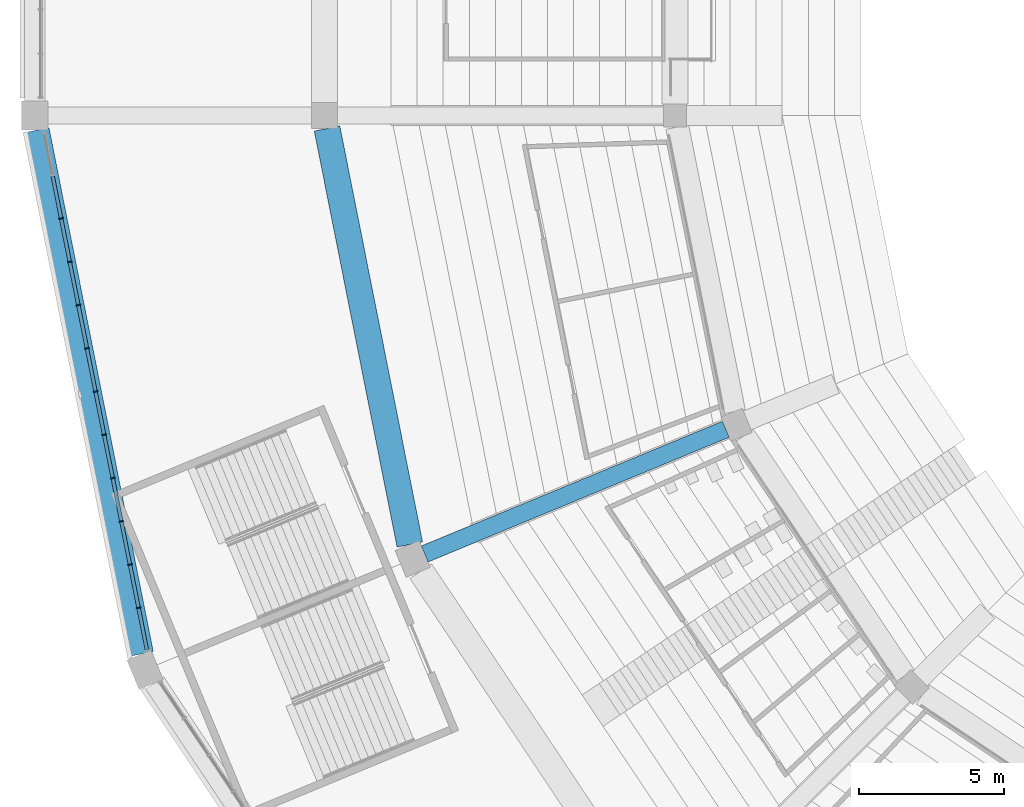
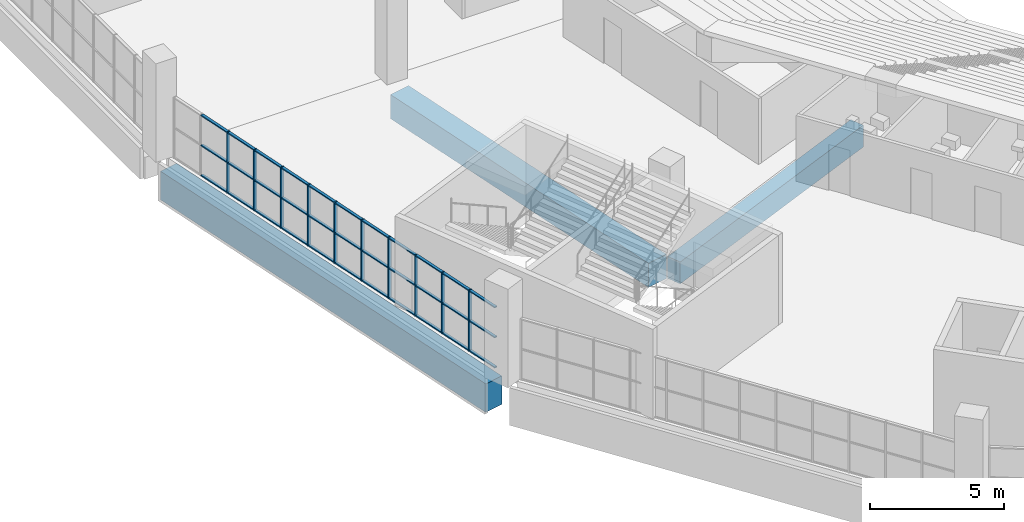
# One storey, part 8 of 249: 43 members, 3 beams, 1 element without a shape of its own.
"""IFC4 building model written with IfcOpenShell, lengths in metres."""

from ifc_helpers import new_model, si_unit, direction, frame, origin, origin_2d, place, context, subcontext, project, spatial, rectangle, extrude, material, material_profile, profile_set, type_object, element, aggregate, save


model = new_model("IFC4")

# Units and contexts
model_context = context("Model", 3, precision=1e-05, world=origin(), true_north=direction((0.0, 1.0)))
body_context = subcontext(model_context, "Body", "Model", "MODEL_VIEW")
ifc_project = project(units=[si_unit("LENGTHUNIT", "METRE"), si_unit("AREAUNIT", "SQUARE_METRE"), si_unit("VOLUMEUNIT", "CUBIC_METRE"), si_unit("PLANEANGLEUNIT", "RADIAN"), si_unit("MASSUNIT", "GRAM", prefix="KILO")], contexts=[model_context])

# Site, building, storey
site_placement = place(None, origin())
site = spatial("IfcSite", under=ifc_project, at=site_placement, CompositionType="ELEMENT")
building_placement = place(site_placement, origin())
building = spatial("IfcBuilding", under=site, at=building_placement, Name="Ogive Plaza Stadium", CompositionType="ELEMENT")
storey_placement = place(building_placement, frame((0.0, 0.0, 13.5)))
storey = spatial("IfcBuildingStorey", under=building, at=storey_placement, Name="L03", CompositionType="ELEMENT", Elevation=13.5)

# Curtain wall, members
ifc_material_1 = material(Name="Bronze-anodised aluminium with laminated glass", Category="aluminium")
curtain_wall_type = type_object("IfcCurtainWallType", Name="Lancet curtain wall", PredefinedType="NOTDEFINED", material=ifc_material_1)
curtain_wall_placement = place(storey_placement, origin())
curtain_wall = element("IfcCurtainWall", 1, at=curtain_wall_placement, inside=storey, type_object=curtain_wall_type, Name="CURTAIN WALL B20 L03", PredefinedType="NOTDEFINED")
ifc_material_2 = material(Name="Bronze-anodised aluminium", Category="aluminium")
ifc_material_profile_1 = material_profile(ifc_material_2, rectangle(XDim=0.14990234375, YDim=0.050048828125, at=origin_2d()), Name="AL 150x50")
ifc_profile_set_1 = profile_set([ifc_material_profile_1], Name="Bronze-anodised aluminium")
member_type_1 = type_object("IfcMemberType", Name="Curtain wall mullion 50x150", PredefinedType="MULLION", material=ifc_profile_set_1)
member_1_placement = place(storey_placement, frame((-80.415771484375, -69.49365234375, 0.0), z_axis=(0.0, 0.0, 1.0), x_axis=(-0.9807852804, -0.195090322033, 0.0)))
member_1 = element("IfcMember", 2, at=member_1_placement, type_object=member_type_1, Name="CW-B20-L03 mullion 2", PredefinedType="MULLION", context=body_context, shape_type="SweptSolid", body=[
    extrude(rectangle(XDim=0.14990234375, YDim=0.050048828125, at=origin_2d()), origin(), (0.0, 0.0, 1.0), 2.7900390625),
])
member_2_placement = place(storey_placement, frame((-80.712890625, -68.00048828125, 0.0), z_axis=(0.0, 0.0, 1.0), x_axis=(-0.9807852804, -0.195090322033, 0.0)))
member_2 = element("IfcMember", 3, at=member_2_placement, type_object=member_type_1, Name="CW-B20-L03 mullion 3", PredefinedType="MULLION", context=body_context, shape_type="SweptSolid", body=[
    extrude(rectangle(XDim=0.14990234375, YDim=0.050048828125, at=origin_2d()), origin(), (0.0, 0.0, 1.0), 2.7900390625),
])
member_3_placement = place(storey_placement, frame((-81.009765625, -66.50732421875, 0.0), z_axis=(0.0, 0.0, 1.0), x_axis=(-0.9807852804, -0.195090322033, 0.0)))
member_3 = element("IfcMember", 4, at=member_3_placement, type_object=member_type_1, Name="CW-B20-L03 mullion 4", PredefinedType="MULLION", context=body_context, shape_type="SweptSolid", body=[
    extrude(rectangle(XDim=0.14990234375, YDim=0.050048828125, at=origin_2d()), origin(), (0.0, 0.0, 1.0), 2.7900390625),
])
member_4_placement = place(storey_placement, frame((-81.306884765625, -65.01416015625, 0.0), z_axis=(0.0, 0.0, 1.0), x_axis=(-0.9807852804, -0.195090322033, 0.0)))
member_4 = element("IfcMember", 5, at=member_4_placement, type_object=member_type_1, Name="CW-B20-L03 mullion 5", PredefinedType="MULLION", context=body_context, shape_type="SweptSolid", body=[
    extrude(rectangle(XDim=0.14990234375, YDim=0.050048828125, at=origin_2d()), origin(), (0.0, 0.0, 1.0), 2.7900390625),
])
member_5_placement = place(storey_placement, frame((-81.603759765625, -63.521240234375, 0.0), z_axis=(0.0, 0.0, 1.0), x_axis=(-0.9807852804, -0.195090322033, 0.0)))
member_5 = element("IfcMember", 6, at=member_5_placement, type_object=member_type_1, Name="CW-B20-L03 mullion 6", PredefinedType="MULLION", context=body_context, shape_type="SweptSolid", body=[
    extrude(rectangle(XDim=0.14990234375, YDim=0.050048828125, at=origin_2d()), origin(), (0.0, 0.0, 1.0), 2.7900390625),
])
member_6_placement = place(storey_placement, frame((-81.90087890625, -62.028076171875, 0.0), z_axis=(0.0, 0.0, 1.0), x_axis=(-0.9807852804, -0.195090322033, 0.0)))
member_6 = element("IfcMember", 7, at=member_6_placement, type_object=member_type_1, Name="CW-B20-L03 mullion 7", PredefinedType="MULLION", context=body_context, shape_type="SweptSolid", body=[
    extrude(rectangle(XDim=0.14990234375, YDim=0.050048828125, at=origin_2d()), origin(), (0.0, 0.0, 1.0), 2.7900390625),
])
member_7_placement = place(storey_placement, frame((-82.19775390625, -60.534912109375, 0.0), z_axis=(0.0, 0.0, 1.0), x_axis=(-0.9807852804, -0.195090322033, 0.0)))
member_7 = element("IfcMember", 8, at=member_7_placement, type_object=member_type_1, Name="CW-B20-L03 mullion 8", PredefinedType="MULLION", context=body_context, shape_type="SweptSolid", body=[
    extrude(rectangle(XDim=0.14990234375, YDim=0.050048828125, at=origin_2d()), origin(), (0.0, 0.0, 1.0), 2.7900390625),
])
member_8_placement = place(storey_placement, frame((-82.494873046875, -59.0419921875, 0.0), z_axis=(0.0, 0.0, 1.0), x_axis=(-0.9807852804, -0.195090322033, 0.0)))
member_8 = element("IfcMember", 9, at=member_8_placement, type_object=member_type_1, Name="CW-B20-L03 mullion 9", PredefinedType="MULLION", context=body_context, shape_type="SweptSolid", body=[
    extrude(rectangle(XDim=0.14990234375, YDim=0.050048828125, at=origin_2d()), origin(), (0.0, 0.0, 1.0), 2.7900390625),
])
member_9_placement = place(storey_placement, frame((-82.791748046875, -57.548828125, 0.0), z_axis=(0.0, 0.0, 1.0), x_axis=(-0.9807852804, -0.195090322033, 0.0)))
member_9 = element("IfcMember", 10, at=member_9_placement, type_object=member_type_1, Name="CW-B20-L03 mullion 10", PredefinedType="MULLION", context=body_context, shape_type="SweptSolid", body=[
    extrude(rectangle(XDim=0.14990234375, YDim=0.050048828125, at=origin_2d()), origin(), (0.0, 0.0, 1.0), 2.7900390625),
])
member_10_placement = place(storey_placement, frame((-83.0888671875, -56.0556640625, 0.0), z_axis=(0.0, 0.0, 1.0), x_axis=(-0.9807852804, -0.195090322033, 0.0)))
member_10 = element("IfcMember", 11, at=member_10_placement, type_object=member_type_1, Name="CW-B20-L03 mullion 11", PredefinedType="MULLION", context=body_context, shape_type="SweptSolid", body=[
    extrude(rectangle(XDim=0.14990234375, YDim=0.050048828125, at=origin_2d()), origin(), (0.0, 0.0, 1.0), 2.7900390625),
])
ifc_material_3 = material(Name="Bronze-anodised aluminium", Category="aluminium")
ifc_material_profile_2 = material_profile(ifc_material_3, rectangle(XDim=0.1201171875, YDim=0.050048828125, at=origin_2d()), Name="AL 120x50")
ifc_profile_set_2 = profile_set([ifc_material_profile_2], Name="Bronze-anodised aluminium")
member_type_2 = type_object("IfcMemberType", Name="Curtain wall transom 50x120", PredefinedType="USERDEFINED", material=ifc_profile_set_2)
member_11_placement = place(storey_placement, frame((-80.128662109375, -70.9375, 0.02490234375), z_axis=(-0.195012996379, 0.98080065826, 0.0), x_axis=(-0.98080065826, -0.195012996379, 0.0)))
member_11 = element("IfcMember", 12, at=member_11_placement, type_object=member_type_2, Name="CW-B20-L03 transom 1.1", ObjectType="TRANSOM", PredefinedType="USERDEFINED", context=body_context, shape_type="SweptSolid", body=[
    extrude(rectangle(XDim=0.1201171875, YDim=0.050048828125, at=origin_2d()), origin(), (0.0, 0.0, 1.0), 1.447265625),
])
member_12_placement = place(storey_placement, frame((-80.128662109375, -70.9375, 1.39501953125), z_axis=(-0.195012996379, 0.98080065826, 0.0), x_axis=(-0.98080065826, -0.195012996379, 0.0)))
member_12 = element("IfcMember", 13, at=member_12_placement, type_object=member_type_2, Name="CW-B20-L03 transom 1.2", ObjectType="TRANSOM", PredefinedType="USERDEFINED", context=body_context, shape_type="SweptSolid", body=[
    extrude(rectangle(XDim=0.1201171875, YDim=0.050048828125, at=origin_2d()), origin(), (0.0, 0.0, 1.0), 1.447265625),
])
member_13_placement = place(storey_placement, frame((-80.128662109375, -70.9375, 2.764892578125), z_axis=(-0.195012996379, 0.98080065826, 0.0), x_axis=(-0.98080065826, -0.195012996379, 0.0)))
member_13 = element("IfcMember", 14, at=member_13_placement, type_object=member_type_2, Name="CW-B20-L03 transom 1.3", ObjectType="TRANSOM", PredefinedType="USERDEFINED", context=body_context, shape_type="SweptSolid", body=[
    extrude(rectangle(XDim=0.1201171875, YDim=0.050048828125, at=origin_2d()), origin(), (0.0, 0.0, 1.0), 1.447265625),
])
member_14_placement = place(storey_placement, frame((-80.420654296875, -69.468994140625, 0.02490234375), z_axis=(-0.195159440417, 0.980771529367, 0.0), x_axis=(-0.980771529367, -0.195159440417, 0.0)))
member_14 = element("IfcMember", 15, at=member_14_placement, type_object=member_type_2, Name="CW-B20-L03 transom 2.1", ObjectType="TRANSOM", PredefinedType="USERDEFINED", context=body_context, shape_type="SweptSolid", body=[
    extrude(rectangle(XDim=0.1201171875, YDim=0.050048828125, at=origin_2d()), origin(), (0.0, 0.0, 1.0), 1.472412109375),
])
member_15_placement = place(storey_placement, frame((-80.420654296875, -69.468994140625, 1.39501953125), z_axis=(-0.195159440417, 0.980771529367, 0.0), x_axis=(-0.980771529367, -0.195159440417, 0.0)))
member_15 = element("IfcMember", 16, at=member_15_placement, type_object=member_type_2, Name="CW-B20-L03 transom 2.2", ObjectType="TRANSOM", PredefinedType="USERDEFINED", context=body_context, shape_type="SweptSolid", body=[
    extrude(rectangle(XDim=0.1201171875, YDim=0.050048828125, at=origin_2d()), origin(), (0.0, 0.0, 1.0), 1.472412109375),
])
member_16_placement = place(storey_placement, frame((-80.420654296875, -69.468994140625, 2.764892578125), z_axis=(-0.195159440417, 0.980771529367, 0.0), x_axis=(-0.980771529367, -0.195159440417, 0.0)))
member_16 = element("IfcMember", 17, at=member_16_placement, type_object=member_type_2, Name="CW-B20-L03 transom 2.3", ObjectType="TRANSOM", PredefinedType="USERDEFINED", context=body_context, shape_type="SweptSolid", body=[
    extrude(rectangle(XDim=0.1201171875, YDim=0.050048828125, at=origin_2d()), origin(), (0.0, 0.0, 1.0), 1.472412109375),
])
member_17_placement = place(storey_placement, frame((-80.7177734375, -67.975830078125, 0.02490234375), z_axis=(-0.19503165555, 0.980796948065, 0.0), x_axis=(-0.980796948065, -0.19503165555, 0.0)))
member_17 = element("IfcMember", 18, at=member_17_placement, type_object=member_type_2, Name="CW-B20-L03 transom 3.1", ObjectType="TRANSOM", PredefinedType="USERDEFINED", context=body_context, shape_type="SweptSolid", body=[
    extrude(rectangle(XDim=0.1201171875, YDim=0.050048828125, at=origin_2d()), origin(), (0.0, 0.0, 1.0), 1.47216796875),
])
member_18_placement = place(storey_placement, frame((-80.7177734375, -67.975830078125, 1.39501953125), z_axis=(-0.19503165555, 0.980796948065, 0.0), x_axis=(-0.980796948065, -0.19503165555, 0.0)))
member_18 = element("IfcMember", 19, at=member_18_placement, type_object=member_type_2, Name="CW-B20-L03 transom 3.2", ObjectType="TRANSOM", PredefinedType="USERDEFINED", context=body_context, shape_type="SweptSolid", body=[
    extrude(rectangle(XDim=0.1201171875, YDim=0.050048828125, at=origin_2d()), origin(), (0.0, 0.0, 1.0), 1.47216796875),
])
member_19_placement = place(storey_placement, frame((-80.7177734375, -67.975830078125, 2.764892578125), z_axis=(-0.19503165555, 0.980796948065, 0.0), x_axis=(-0.980796948065, -0.19503165555, 0.0)))
member_19 = element("IfcMember", 20, at=member_19_placement, type_object=member_type_2, Name="CW-B20-L03 transom 3.3", ObjectType="TRANSOM", PredefinedType="USERDEFINED", context=body_context, shape_type="SweptSolid", body=[
    extrude(rectangle(XDim=0.1201171875, YDim=0.050048828125, at=origin_2d()), origin(), (0.0, 0.0, 1.0), 1.47216796875),
])
member_20_placement = place(storey_placement, frame((-81.0146484375, -66.48291015625, 0.02490234375), z_axis=(-0.195159440417, 0.980771529367, 0.0), x_axis=(-0.980771529367, -0.195159440417, 0.0)))
member_20 = element("IfcMember", 21, at=member_20_placement, type_object=member_type_2, Name="CW-B20-L03 transom 4.1", ObjectType="TRANSOM", PredefinedType="USERDEFINED", context=body_context, shape_type="SweptSolid", body=[
    extrude(rectangle(XDim=0.1201171875, YDim=0.050048828125, at=origin_2d()), origin(), (0.0, 0.0, 1.0), 1.472412109375),
])
member_21_placement = place(storey_placement, frame((-81.0146484375, -66.48291015625, 1.39501953125), z_axis=(-0.195159440417, 0.980771529367, 0.0), x_axis=(-0.980771529367, -0.195159440417, 0.0)))
member_21 = element("IfcMember", 22, at=member_21_placement, type_object=member_type_2, Name="CW-B20-L03 transom 4.2", ObjectType="TRANSOM", PredefinedType="USERDEFINED", context=body_context, shape_type="SweptSolid", body=[
    extrude(rectangle(XDim=0.1201171875, YDim=0.050048828125, at=origin_2d()), origin(), (0.0, 0.0, 1.0), 1.472412109375),
])
member_22_placement = place(storey_placement, frame((-81.0146484375, -66.48291015625, 2.764892578125), z_axis=(-0.195159440417, 0.980771529367, 0.0), x_axis=(-0.980771529367, -0.195159440417, 0.0)))
member_22 = element("IfcMember", 23, at=member_22_placement, type_object=member_type_2, Name="CW-B20-L03 transom 4.3", ObjectType="TRANSOM", PredefinedType="USERDEFINED", context=body_context, shape_type="SweptSolid", body=[
    extrude(rectangle(XDim=0.1201171875, YDim=0.050048828125, at=origin_2d()), origin(), (0.0, 0.0, 1.0), 1.472412109375),
])
member_23_placement = place(storey_placement, frame((-81.311767578125, -64.98974609375, 0.02490234375), z_axis=(-0.194999937042, 0.980803254763, 0.0), x_axis=(-0.980803254763, -0.194999937042, 0.0)))
member_23 = element("IfcMember", 24, at=member_23_placement, type_object=member_type_2, Name="CW-B20-L03 transom 5.1", ObjectType="TRANSOM", PredefinedType="USERDEFINED", context=body_context, shape_type="SweptSolid", body=[
    extrude(rectangle(XDim=0.1201171875, YDim=0.050048828125, at=origin_2d()), origin(), (0.0, 0.0, 1.0), 1.472412109375),
])
member_24_placement = place(storey_placement, frame((-81.311767578125, -64.98974609375, 1.39501953125), z_axis=(-0.194999937042, 0.980803254763, 0.0), x_axis=(-0.980803254763, -0.194999937042, 0.0)))
member_24 = element("IfcMember", 25, at=member_24_placement, type_object=member_type_2, Name="CW-B20-L03 transom 5.2", ObjectType="TRANSOM", PredefinedType="USERDEFINED", context=body_context, shape_type="SweptSolid", body=[
    extrude(rectangle(XDim=0.1201171875, YDim=0.050048828125, at=origin_2d()), origin(), (0.0, 0.0, 1.0), 1.472412109375),
])
member_25_placement = place(storey_placement, frame((-81.311767578125, -64.98974609375, 2.764892578125), z_axis=(-0.194999937042, 0.980803254763, 0.0), x_axis=(-0.980803254763, -0.194999937042, 0.0)))
member_25 = element("IfcMember", 26, at=member_25_placement, type_object=member_type_2, Name="CW-B20-L03 transom 5.3", ObjectType="TRANSOM", PredefinedType="USERDEFINED", context=body_context, shape_type="SweptSolid", body=[
    extrude(rectangle(XDim=0.1201171875, YDim=0.050048828125, at=origin_2d()), origin(), (0.0, 0.0, 1.0), 1.472412109375),
])
member_26_placement = place(storey_placement, frame((-81.608642578125, -63.49658203125, 0.02490234375), z_axis=(-0.195159440417, 0.980771529367, 0.0), x_axis=(-0.980771529367, -0.195159440417, 0.0)))
member_26 = element("IfcMember", 27, at=member_26_placement, type_object=member_type_2, Name="CW-B20-L03 transom 6.1", ObjectType="TRANSOM", PredefinedType="USERDEFINED", context=body_context, shape_type="SweptSolid", body=[
    extrude(rectangle(XDim=0.1201171875, YDim=0.050048828125, at=origin_2d()), origin(), (0.0, 0.0, 1.0), 1.472412109375),
])
member_27_placement = place(storey_placement, frame((-81.608642578125, -63.49658203125, 1.39501953125), z_axis=(-0.195159440417, 0.980771529367, 0.0), x_axis=(-0.980771529367, -0.195159440417, 0.0)))
member_27 = element("IfcMember", 28, at=member_27_placement, type_object=member_type_2, Name="CW-B20-L03 transom 6.2", ObjectType="TRANSOM", PredefinedType="USERDEFINED", context=body_context, shape_type="SweptSolid", body=[
    extrude(rectangle(XDim=0.1201171875, YDim=0.050048828125, at=origin_2d()), origin(), (0.0, 0.0, 1.0), 1.472412109375),
])
member_28_placement = place(storey_placement, frame((-81.608642578125, -63.49658203125, 2.764892578125), z_axis=(-0.195159440417, 0.980771529367, 0.0), x_axis=(-0.980771529367, -0.195159440417, 0.0)))
member_28 = element("IfcMember", 29, at=member_28_placement, type_object=member_type_2, Name="CW-B20-L03 transom 6.3", ObjectType="TRANSOM", PredefinedType="USERDEFINED", context=body_context, shape_type="SweptSolid", body=[
    extrude(rectangle(XDim=0.1201171875, YDim=0.050048828125, at=origin_2d()), origin(), (0.0, 0.0, 1.0), 1.472412109375),
])
member_29_placement = place(storey_placement, frame((-81.90576171875, -62.003662109375, 0.02490234375), z_axis=(-0.194999937042, 0.980803254763, 0.0), x_axis=(-0.980803254763, -0.194999937042, 0.0)))
member_29 = element("IfcMember", 30, at=member_29_placement, type_object=member_type_2, Name="CW-B20-L03 transom 7.1", ObjectType="TRANSOM", PredefinedType="USERDEFINED", context=body_context, shape_type="SweptSolid", body=[
    extrude(rectangle(XDim=0.1201171875, YDim=0.050048828125, at=origin_2d()), origin(), (0.0, 0.0, 1.0), 1.472412109375),
])
member_30_placement = place(storey_placement, frame((-81.90576171875, -62.003662109375, 1.39501953125), z_axis=(-0.194999937042, 0.980803254763, 0.0), x_axis=(-0.980803254763, -0.194999937042, 0.0)))
member_30 = element("IfcMember", 31, at=member_30_placement, type_object=member_type_2, Name="CW-B20-L03 transom 7.2", ObjectType="TRANSOM", PredefinedType="USERDEFINED", context=body_context, shape_type="SweptSolid", body=[
    extrude(rectangle(XDim=0.1201171875, YDim=0.050048828125, at=origin_2d()), origin(), (0.0, 0.0, 1.0), 1.472412109375),
])
member_31_placement = place(storey_placement, frame((-81.90576171875, -62.003662109375, 2.764892578125), z_axis=(-0.194999937042, 0.980803254763, 0.0), x_axis=(-0.980803254763, -0.194999937042, 0.0)))
member_31 = element("IfcMember", 32, at=member_31_placement, type_object=member_type_2, Name="CW-B20-L03 transom 7.3", ObjectType="TRANSOM", PredefinedType="USERDEFINED", context=body_context, shape_type="SweptSolid", body=[
    extrude(rectangle(XDim=0.1201171875, YDim=0.050048828125, at=origin_2d()), origin(), (0.0, 0.0, 1.0), 1.472412109375),
])
member_32_placement = place(storey_placement, frame((-82.20263671875, -60.510498046875, 0.02490234375), z_axis=(-0.195159440417, 0.980771529367, 0.0), x_axis=(-0.980771529367, -0.195159440417, 0.0)))
member_32 = element("IfcMember", 33, at=member_32_placement, type_object=member_type_2, Name="CW-B20-L03 transom 8.1", ObjectType="TRANSOM", PredefinedType="USERDEFINED", context=body_context, shape_type="SweptSolid", body=[
    extrude(rectangle(XDim=0.1201171875, YDim=0.050048828125, at=origin_2d()), origin(), (0.0, 0.0, 1.0), 1.472412109375),
])
member_33_placement = place(storey_placement, frame((-82.20263671875, -60.510498046875, 1.39501953125), z_axis=(-0.195159440417, 0.980771529367, 0.0), x_axis=(-0.980771529367, -0.195159440417, 0.0)))
member_33 = element("IfcMember", 34, at=member_33_placement, type_object=member_type_2, Name="CW-B20-L03 transom 8.2", ObjectType="TRANSOM", PredefinedType="USERDEFINED", context=body_context, shape_type="SweptSolid", body=[
    extrude(rectangle(XDim=0.1201171875, YDim=0.050048828125, at=origin_2d()), origin(), (0.0, 0.0, 1.0), 1.472412109375),
])
member_34_placement = place(storey_placement, frame((-82.20263671875, -60.510498046875, 2.764892578125), z_axis=(-0.195159440417, 0.980771529367, 0.0), x_axis=(-0.980771529367, -0.195159440417, 0.0)))
member_34 = element("IfcMember", 35, at=member_34_placement, type_object=member_type_2, Name="CW-B20-L03 transom 8.3", ObjectType="TRANSOM", PredefinedType="USERDEFINED", context=body_context, shape_type="SweptSolid", body=[
    extrude(rectangle(XDim=0.1201171875, YDim=0.050048828125, at=origin_2d()), origin(), (0.0, 0.0, 1.0), 1.472412109375),
])
member_35_placement = place(storey_placement, frame((-82.499755859375, -59.017333984375, 0.02490234375), z_axis=(-0.194999937042, 0.980803254763, 0.0), x_axis=(-0.980803254763, -0.194999937042, 0.0)))
member_35 = element("IfcMember", 36, at=member_35_placement, type_object=member_type_2, Name="CW-B20-L03 transom 9.1", ObjectType="TRANSOM", PredefinedType="USERDEFINED", context=body_context, shape_type="SweptSolid", body=[
    extrude(rectangle(XDim=0.1201171875, YDim=0.050048828125, at=origin_2d()), origin(), (0.0, 0.0, 1.0), 1.472412109375),
])
member_36_placement = place(storey_placement, frame((-82.499755859375, -59.017333984375, 1.39501953125), z_axis=(-0.194999937042, 0.980803254763, 0.0), x_axis=(-0.980803254763, -0.194999937042, 0.0)))
member_36 = element("IfcMember", 37, at=member_36_placement, type_object=member_type_2, Name="CW-B20-L03 transom 9.2", ObjectType="TRANSOM", PredefinedType="USERDEFINED", context=body_context, shape_type="SweptSolid", body=[
    extrude(rectangle(XDim=0.1201171875, YDim=0.050048828125, at=origin_2d()), origin(), (0.0, 0.0, 1.0), 1.472412109375),
])
member_37_placement = place(storey_placement, frame((-82.499755859375, -59.017333984375, 2.764892578125), z_axis=(-0.194999937042, 0.980803254763, 0.0), x_axis=(-0.980803254763, -0.194999937042, 0.0)))
member_37 = element("IfcMember", 38, at=member_37_placement, type_object=member_type_2, Name="CW-B20-L03 transom 9.3", ObjectType="TRANSOM", PredefinedType="USERDEFINED", context=body_context, shape_type="SweptSolid", body=[
    extrude(rectangle(XDim=0.1201171875, YDim=0.050048828125, at=origin_2d()), origin(), (0.0, 0.0, 1.0), 1.472412109375),
])
member_38_placement = place(storey_placement, frame((-82.796630859375, -57.524169921875, 0.02490234375), z_axis=(-0.195191182816, 0.980765212551, 0.0), x_axis=(-0.980765212551, -0.195191182816, 0.0)))
member_38 = element("IfcMember", 39, at=member_38_placement, type_object=member_type_2, Name="CW-B20-L03 transom 10.1", ObjectType="TRANSOM", PredefinedType="USERDEFINED", context=body_context, shape_type="SweptSolid", body=[
    extrude(rectangle(XDim=0.1201171875, YDim=0.050048828125, at=origin_2d()), origin(), (0.0, 0.0, 1.0), 1.47216796875),
])
member_39_placement = place(storey_placement, frame((-82.796630859375, -57.524169921875, 1.39501953125), z_axis=(-0.195191182816, 0.980765212551, 0.0), x_axis=(-0.980765212551, -0.195191182816, 0.0)))
member_39 = element("IfcMember", 40, at=member_39_placement, type_object=member_type_2, Name="CW-B20-L03 transom 10.2", ObjectType="TRANSOM", PredefinedType="USERDEFINED", context=body_context, shape_type="SweptSolid", body=[
    extrude(rectangle(XDim=0.1201171875, YDim=0.050048828125, at=origin_2d()), origin(), (0.0, 0.0, 1.0), 1.47216796875),
])
member_40_placement = place(storey_placement, frame((-82.796630859375, -57.524169921875, 2.764892578125), z_axis=(-0.195191182816, 0.980765212551, 0.0), x_axis=(-0.980765212551, -0.195191182816, 0.0)))
member_40 = element("IfcMember", 41, at=member_40_placement, type_object=member_type_2, Name="CW-B20-L03 transom 10.3", ObjectType="TRANSOM", PredefinedType="USERDEFINED", context=body_context, shape_type="SweptSolid", body=[
    extrude(rectangle(XDim=0.1201171875, YDim=0.050048828125, at=origin_2d()), origin(), (0.0, 0.0, 1.0), 1.47216796875),
])
member_41_placement = place(storey_placement, frame((-83.09375, -56.03125, 0.02490234375), z_axis=(-0.194999937042, 0.980803254763, 0.0), x_axis=(-0.980803254763, -0.194999937042, 0.0)))
member_41 = element("IfcMember", 42, at=member_41_placement, type_object=member_type_2, Name="CW-B20-L03 transom 11.1", ObjectType="TRANSOM", PredefinedType="USERDEFINED", context=body_context, shape_type="SweptSolid", body=[
    extrude(rectangle(XDim=0.1201171875, YDim=0.050048828125, at=origin_2d()), origin(), (0.0, 0.0, 1.0), 1.472412109375),
])
member_42_placement = place(storey_placement, frame((-83.09375, -56.03125, 1.39501953125), z_axis=(-0.194999937042, 0.980803254763, 0.0), x_axis=(-0.980803254763, -0.194999937042, 0.0)))
member_42 = element("IfcMember", 43, at=member_42_placement, type_object=member_type_2, Name="CW-B20-L03 transom 11.2", ObjectType="TRANSOM", PredefinedType="USERDEFINED", context=body_context, shape_type="SweptSolid", body=[
    extrude(rectangle(XDim=0.1201171875, YDim=0.050048828125, at=origin_2d()), origin(), (0.0, 0.0, 1.0), 1.472412109375),
])
member_43_placement = place(storey_placement, frame((-83.09375, -56.03125, 2.764892578125), z_axis=(-0.194999937042, 0.980803254763, 0.0), x_axis=(-0.980803254763, -0.194999937042, 0.0)))
member_43 = element("IfcMember", 44, at=member_43_placement, type_object=member_type_2, Name="CW-B20-L03 transom 11.3", ObjectType="TRANSOM", PredefinedType="USERDEFINED", context=body_context, shape_type="SweptSolid", body=[
    extrude(rectangle(XDim=0.1201171875, YDim=0.050048828125, at=origin_2d()), origin(), (0.0, 0.0, 1.0), 1.472412109375),
])
aggregate(curtain_wall, [member_1, member_2, member_3, member_4, member_5, member_6, member_7, member_8, member_9, member_10, member_11, member_12, member_13, member_14, member_15, member_16, member_17, member_18, member_19, member_20, member_21, member_22, member_23, member_24, member_25, member_26, member_27, member_28, member_29, member_30, member_31, member_32, member_33, member_34, member_35, member_36, member_37, member_38, member_39, member_40, member_41, member_42, member_43])

# Beams
ifc_material_4 = material(Name="Concrete C40/50", Category="concrete")
ifc_material_profile_3 = material_profile(ifc_material_4, rectangle(XDim=0.60009765625, YDim=1.0, at=origin_2d()), Name="RC 600x1000")
ifc_profile_set_3 = profile_set([ifc_material_profile_3], Name="Concrete C40/50")
beam_type_1 = type_object("IfcBeamType", Name="RC radial beam 600x1000", PredefinedType="BEAM", material=ifc_profile_set_3)
beam_1_placement = place(storey_placement, frame((-60.145751953125, -63.329833984375, -0.909912109375), z_axis=(-0.92388194159, -0.382677616283, 0.0), x_axis=(0.382677616283, -0.92388194159, 0.0)))
element("IfcBeam", 45, at=beam_1_placement, inside=storey, type_object=beam_type_1, Name="Radial beam L03 R20 F3F4", PredefinedType="BEAM", context=body_context, shape_type="SweptSolid", body=[
    extrude(rectangle(XDim=0.60009765625, YDim=1.0, at=origin_2d()), origin(), (0.0, 0.0, 1.0), 11.250244140625),
])
ifc_material_5 = material(Name="Concrete C40/50", Category="concrete")
ifc_material_profile_4 = material_profile(ifc_material_5, rectangle(XDim=0.89990234375, YDim=1.10009765625, at=origin_2d()), Name="RC 900x1100")
ifc_profile_set_4 = profile_set([ifc_material_profile_4], Name="Concrete C40/50")
beam_type_2 = type_object("IfcBeamType", Name="RC ring beam 900x1100", PredefinedType="BEAM", material=ifc_profile_set_4)
beam_2_placement = place(storey_placement, frame((-71.0546875, -67.307373046875, -0.9599609375), z_axis=(-0.195080078519, 0.980787317906, 0.0), x_axis=(-0.980787317906, -0.195080078519, 0.0)))
element("IfcBeam", 46, at=beam_2_placement, inside=storey, type_object=beam_type_2, Name="Ring beam F4 L03 B20", PredefinedType="BEAM", context=body_context, shape_type="SweptSolid", body=[
    extrude(rectangle(XDim=0.89990234375, YDim=1.10009765625, at=origin_2d()), origin(), (0.0, 0.0, 1.0), 14.638671875),
])
ifc_material_6 = material(Name="Concrete C40/50", Category="concrete")
ifc_material_profile_5 = material_profile(ifc_material_6, rectangle(XDim=0.800048828125, YDim=1.300048828125, at=origin_2d()), Name="RC 800x1300")
ifc_profile_set_5 = profile_set([ifc_material_profile_5], Name="Concrete C40/50")
beam_type_3 = type_object("IfcBeamType", Name="RC spandrel beam 800x1300", PredefinedType="SPANDREL", material=ifc_profile_set_5)
beam_3_placement = place(storey_placement, frame((-80.303466796875, -71.084228515625, -1.06005859375), z_axis=(-0.195089866178, 0.980785371075, 0.0), x_axis=(-0.980785371075, -0.195089866178, 0.0)))
element("IfcBeam", 47, at=beam_3_placement, inside=storey, type_object=beam_type_3, Name="Ring beam F5 L03 B20", PredefinedType="SPANDREL", context=body_context, shape_type="SweptSolid", body=[
    extrude(rectangle(XDim=0.800048828125, YDim=1.300048828125, at=origin_2d()), origin(), (0.0, 0.0, 1.0), 18.4384765625),
])

save(model, "model.ifc")
